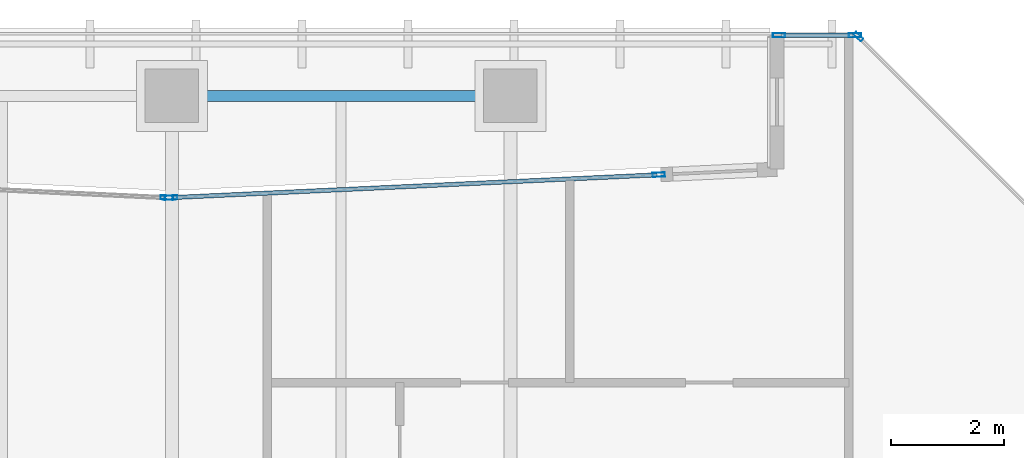
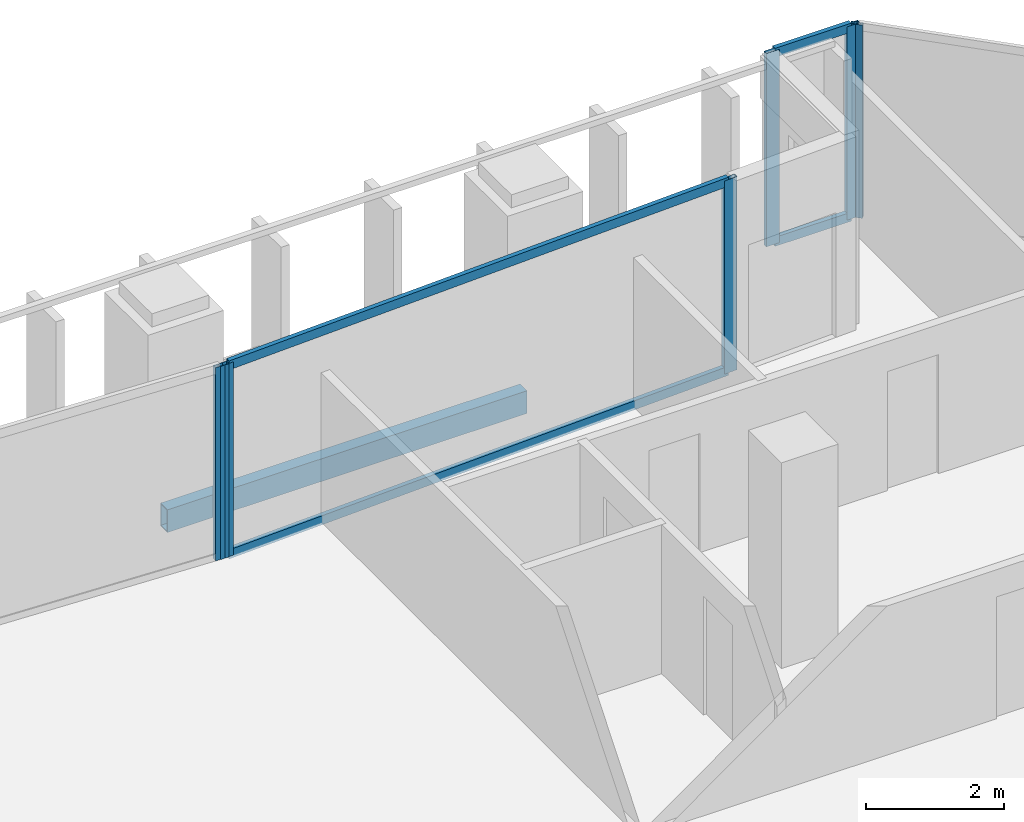
# One storey, part 23 of 39: 10 members, 1 beam, 4 elements without a shape of their own.
"""IFC4 building model written with IfcOpenShell, lengths in metres."""

from ifc_helpers import new_model, si_unit, direction, frame, origin, origin_2d, place, context, subcontext, project, spatial, hollow_rectangle, extrude, material, layer, layer_set, material_profile, profile_set, type_object, element, aggregate, save


model = new_model("IFC4")

# Units and contexts
model_context = context("Model", 3, precision=1e-05, world=origin(), true_north=direction((0.0, 1.0)))
body_context = subcontext(model_context, "Body", "Model", "MODEL_VIEW")
ifc_project = project(units=[si_unit("LENGTHUNIT", "METRE"), si_unit("AREAUNIT", "SQUARE_METRE"), si_unit("VOLUMEUNIT", "CUBIC_METRE"), si_unit("PLANEANGLEUNIT", "RADIAN"), si_unit("MASSUNIT", "GRAM", prefix="KILO")], contexts=[model_context])

# Site, building, storey
site_placement = place(None, origin())
site = spatial("IfcSite", under=ifc_project, at=site_placement, CompositionType="ELEMENT")
building_placement = place(site_placement, origin())
building = spatial("IfcBuilding", under=site, at=building_placement, Name="Tanjung Sevakor Pilgrim Tower", CompositionType="ELEMENT")
storey_placement = place(building_placement, frame((0.0, 0.0, 108.570068359375)))
storey = spatial("IfcBuildingStorey", under=building, at=storey_placement, Name="L30", CompositionType="ELEMENT", Elevation=108.570068359375)

# Beam
ifc_material_1 = material(Name="Steel S355J2", Category="steel")
ifc_material_profile_1 = material_profile(ifc_material_1, hollow_rectangle(XDim=0.199951171875, YDim=0.39990234375, WallThickness=0.01611328125, at=origin_2d()))
ifc_profile_set_1 = profile_set([ifc_material_profile_1], Name="Steel S355J2")
beam_type = type_object("IfcBeamType", Name="BM-B-SP2-RHS_400x200x16", PredefinedType="SPANDREL", material=ifc_profile_set_1)
beam_placement = place(storey_placement, frame((84.0, 56.39990234375, -0.420166015625), z_axis=(1.0, 0.0, 0.0), x_axis=(0.0, 1.0, 0.0)))
element("IfcBeam", 1, at=beam_placement, inside=storey, type_object=beam_type, Name="L30 Spandrel MAIN N-18", PredefinedType="SPANDREL", context=body_context, shape_type="SweptSolid", body=[
    extrude(hollow_rectangle(XDim=0.199951171875, YDim=0.39990234375, WallThickness=0.01611328125, at=origin_2d()), origin(), (0.0, 0.0, 1.0), 6.0),
])

# Curtain wall, member
ifc_material_2 = material(Name="Aluminium 6063-T6 and Low-E Glass", Category="aluminium")
ifc_layer_1 = layer(ifc_material_2, 0.179931640625)
ifc_layer_set_1 = layer_set([ifc_layer_1], Name="CW-SYS-CHAM")
curtain_wall_type_1 = type_object("IfcCurtainWallType", Name="CW-SYS-CHAM", PredefinedType="NOTDEFINED", material=ifc_layer_set_1)
curtain_wall_1_placement = place(storey_placement, origin())
curtain_wall_1 = element("IfcCurtainWall", 2, at=curtain_wall_1_placement, inside=storey, type_object=curtain_wall_type_1, Name="L30 Curtain Wall CW-CHM-L30-MAIN-17", PredefinedType="NOTDEFINED")
ifc_material_3 = material(Name="Aluminium 6063-T6", Category="aluminium")
ifc_material_profile_2 = material_profile(ifc_material_3, hollow_rectangle(XDim=0.06494140625, YDim=0.179931640625, WallThickness=0.00390625, at=origin_2d()))
ifc_profile_set_2 = profile_set([ifc_material_profile_2], Name="Aluminium 6063-T6")
member_type_1 = type_object("IfcMemberType", Name="TYPE-CWM-1", PredefinedType="MULLION", material=ifc_profile_set_2)
member_1_placement = place(storey_placement, frame((96.171142578125, 57.451904296875, 0.0), z_axis=(0.0, 0.0, 1.0), x_axis=(-0.707106781187, -0.707106781187, 0.0)))
member_1 = element("IfcMember", 3, at=member_1_placement, type_object=member_type_1, Name="CW-CHM mullion 2", PredefinedType="MULLION", context=body_context, shape_type="SweptSolid", body=[
    extrude(hollow_rectangle(XDim=0.06494140625, YDim=0.179931640625, WallThickness=0.00390625, at=origin_2d()), origin(), (0.0, 0.0, 1.0), 3.409912109375),
])
aggregate(curtain_wall_1, [member_1])

# Curtain wall, members
ifc_material_4 = material(Name="Aluminium 6063-T6 and Low-E Glass", Category="aluminium")
ifc_layer_2 = layer(ifc_material_4, 0.199951171875)
ifc_layer_set_2 = layer_set([ifc_layer_2], Name="CW-SYS-PRAY")
curtain_wall_type_2 = type_object("IfcCurtainWallType", Name="CW-SYS-PRAY", PredefinedType="NOTDEFINED", material=ifc_layer_set_2)
curtain_wall_2_placement = place(storey_placement, origin())
curtain_wall_2 = element("IfcCurtainWall", 4, at=curtain_wall_2_placement, inside=storey, type_object=curtain_wall_type_2, Name="L30 Curtain Wall CW-PRY-L30-18", PredefinedType="NOTDEFINED")
ifc_material_5 = material(Name="Aluminium 6063-T6", Category="aluminium")
ifc_material_profile_3 = material_profile(ifc_material_5, hollow_rectangle(XDim=0.074951171875, YDim=0.219970703125, WallThickness=0.0048828125, at=origin_2d()))
ifc_profile_set_3 = profile_set([ifc_material_profile_3], Name="Aluminium 6063-T6")
member_type_2 = type_object("IfcMemberType", Name="TYPE-CWM-2", PredefinedType="MULLION", material=ifc_profile_set_3)
member_2_placement = place(storey_placement, frame((96.110595703125, 57.47509765625, 0.0), z_axis=(0.0, 0.0, 1.0), x_axis=(0.0, -1.0, 0.0)))
member_2 = element("IfcMember", 5, at=member_2_placement, type_object=member_type_2, Name="CW-PRY mullion 1", PredefinedType="MULLION", context=body_context, shape_type="SweptSolid", body=[
    extrude(hollow_rectangle(XDim=0.074951171875, YDim=0.219970703125, WallThickness=0.0048828125, at=origin_2d()), origin(), (0.0, 0.0, 1.0), 3.409912109375),
])
member_3_placement = place(storey_placement, frame((94.762451171875, 57.47509765625, 0.0), z_axis=(0.0, 0.0, 1.0), x_axis=(0.0, -1.0, 0.0)))
member_3 = element("IfcMember", 6, at=member_3_placement, type_object=member_type_2, Name="CW-PRY mullion 2", PredefinedType="MULLION", context=body_context, shape_type="SweptSolid", body=[
    extrude(hollow_rectangle(XDim=0.074951171875, YDim=0.219970703125, WallThickness=0.0048828125, at=origin_2d()), origin(), (0.0, 0.0, 1.0), 3.409912109375),
])

curtain_wall_3_placement = place(storey_placement, origin())
curtain_wall_3 = element("IfcCurtainWall", 7, at=curtain_wall_3_placement, inside=storey, type_object=curtain_wall_type_2, Name="L30 Curtain Wall CW-PRY-L30-20B", PredefinedType="NOTDEFINED")
member_4_placement = place(storey_placement, frame((92.6298828125, 55.00244140625, 0.0), z_axis=(0.0, 0.0, 1.0), x_axis=(0.04688950863, -0.998900082081, 0.0)))
member_4 = element("IfcMember", 8, at=member_4_placement, type_object=member_type_2, Name="CW-PRY mullion 1", PredefinedType="MULLION", context=body_context, shape_type="SweptSolid", body=[
    extrude(hollow_rectangle(XDim=0.074951171875, YDim=0.219970703125, WallThickness=0.0048828125, at=origin_2d()), origin(), (0.0, 0.0, 1.0), 3.409912109375),
])
member_5_placement = place(storey_placement, frame((83.987548828125, 54.5966796875, 0.0), z_axis=(0.0, 0.0, 1.0), x_axis=(0.04688950863, -0.998900082081, 0.0)))
member_5 = element("IfcMember", 9, at=member_5_placement, type_object=member_type_2, Name="CW-PRY mullion 2", PredefinedType="MULLION", context=body_context, shape_type="SweptSolid", body=[
    extrude(hollow_rectangle(XDim=0.074951171875, YDim=0.219970703125, WallThickness=0.0048828125, at=origin_2d()), origin(), (0.0, 0.0, 1.0), 3.409912109375),
])

# Curtain wall, member
curtain_wall_4_placement = place(storey_placement, origin())
curtain_wall_4 = element("IfcCurtainWall", 10, at=curtain_wall_4_placement, inside=storey, type_object=curtain_wall_type_2, Name="L30 Curtain Wall CW-PRY-L30-21", PredefinedType="NOTDEFINED")
member_6_placement = place(storey_placement, frame((83.91259765625, 54.5966796875, 0.0), z_axis=(0.0, 0.0, 1.0), x_axis=(-0.046889499825, -0.998900082494, 0.0)))
member_6 = element("IfcMember", 11, at=member_6_placement, type_object=member_type_2, Name="CW-PRY mullion 1", PredefinedType="MULLION", context=body_context, shape_type="SweptSolid", body=[
    extrude(hollow_rectangle(XDim=0.074951171875, YDim=0.219970703125, WallThickness=0.0048828125, at=origin_2d()), origin(), (0.0, 0.0, 1.0), 3.409912109375),
])
aggregate(curtain_wall_4, [member_6])

# Member
ifc_material_6 = material(Name="Aluminium 6063-T6", Category="aluminium")
ifc_material_profile_4 = material_profile(ifc_material_6, hollow_rectangle(XDim=0.074951171875, YDim=0.159912109375, WallThickness=0.00439453125, at=origin_2d()))
ifc_profile_set_4 = profile_set([ifc_material_profile_4], Name="Aluminium 6063-T6")
member_type_3 = type_object("IfcMemberType", Name="TYPE-CWT-2", PredefinedType="USERDEFINED", material=ifc_profile_set_4)
member_7_placement = place(storey_placement, frame((96.0732421875, 57.47509765625, 0.037353515625), z_axis=(-1.0, 0.0, 0.0), x_axis=(0.0, -1.0, 0.0)))
member_7 = element("IfcMember", 12, at=member_7_placement, type_object=member_type_3, Name="CW-PRY transom 1.1", ObjectType="TRANSOM", PredefinedType="USERDEFINED", context=body_context, shape_type="SweptSolid", body=[
    extrude(hollow_rectangle(XDim=0.074951171875, YDim=0.159912109375, WallThickness=0.00439453125, at=origin_2d()), origin(), (0.0, 0.0, 1.0), 1.273193359375),
])

member_8_placement = place(storey_placement, frame((96.0732421875, 57.47509765625, 3.372314453125), z_axis=(-1.0, 0.0, 0.0), x_axis=(0.0, -1.0, 0.0)))
member_8 = element("IfcMember", 13, at=member_8_placement, type_object=member_type_3, Name="CW-PRY transom 1.2", ObjectType="TRANSOM", PredefinedType="USERDEFINED", context=body_context, shape_type="SweptSolid", body=[
    extrude(hollow_rectangle(XDim=0.074951171875, YDim=0.159912109375, WallThickness=0.00439453125, at=origin_2d()), origin(), (0.0, 0.0, 1.0), 1.273193359375),
])

aggregate(curtain_wall_2, [member_2, member_3, member_7, member_8])

member_9_placement = place(storey_placement, frame((92.59228515625, 55.00048828125, 0.037353515625), z_axis=(-0.99890042668, -0.046882166954, 0.0), x_axis=(0.046882166954, -0.99890042668, 0.0)))
member_9 = element("IfcMember", 14, at=member_9_placement, type_object=member_type_3, Name="CW-PRY transom 1.1", ObjectType="TRANSOM", PredefinedType="USERDEFINED", context=body_context, shape_type="SweptSolid", body=[
    extrude(hollow_rectangle(XDim=0.074951171875, YDim=0.159912109375, WallThickness=0.00439453125, at=origin_2d()), origin(), (0.0, 0.0, 1.0), 8.576904296875),
])

member_10_placement = place(storey_placement, frame((92.59228515625, 55.00048828125, 3.372314453125), z_axis=(-0.99890042668, -0.046882166954, 0.0), x_axis=(0.046882166954, -0.99890042668, 0.0)))
member_10 = element("IfcMember", 15, at=member_10_placement, type_object=member_type_3, Name="CW-PRY transom 1.2", ObjectType="TRANSOM", PredefinedType="USERDEFINED", context=body_context, shape_type="SweptSolid", body=[
    extrude(hollow_rectangle(XDim=0.074951171875, YDim=0.159912109375, WallThickness=0.00439453125, at=origin_2d()), origin(), (0.0, 0.0, 1.0), 8.576904296875),
])

aggregate(curtain_wall_3, [member_4, member_5, member_9, member_10])

save(model, "model.ifc")
